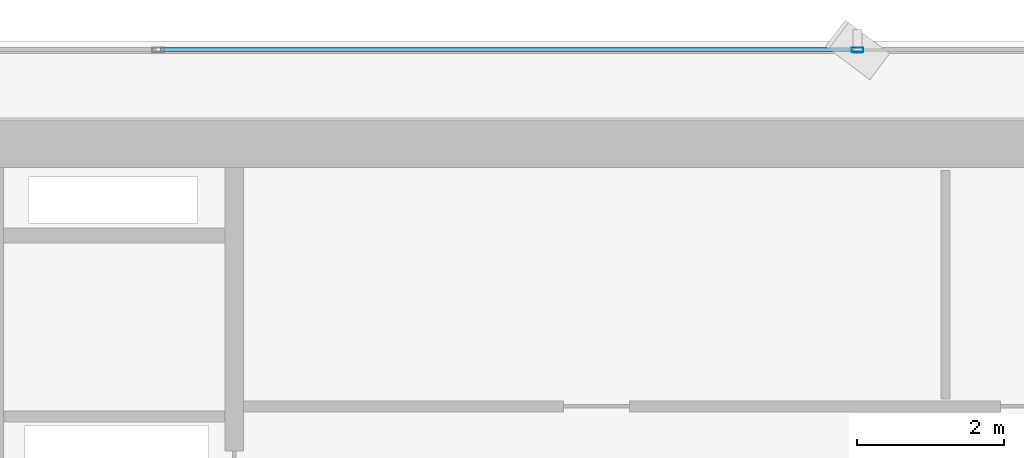
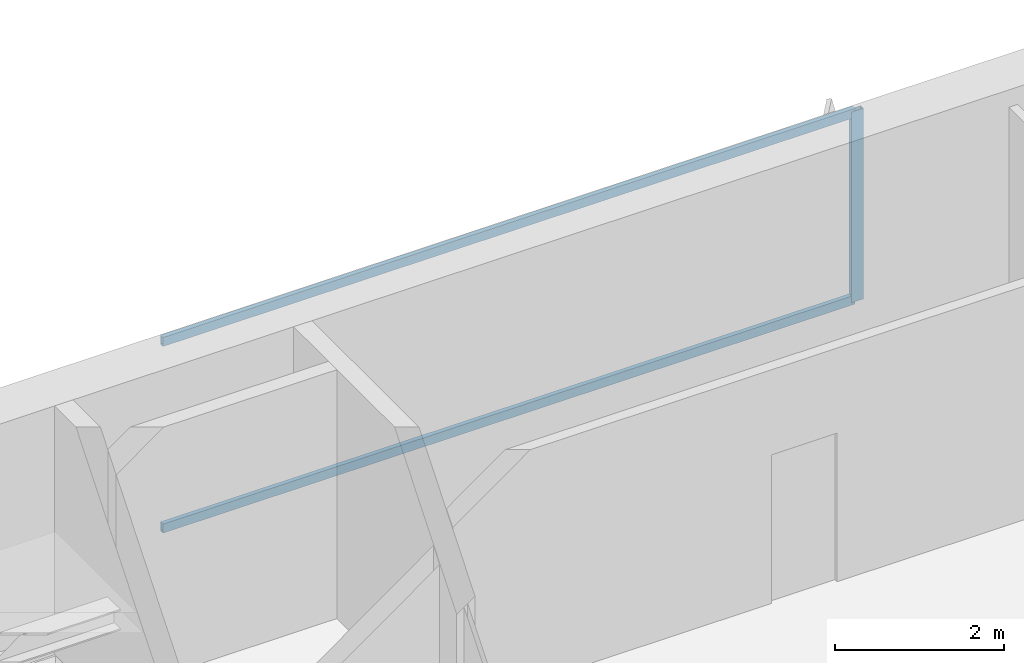
# One storey, part 16 of 28: 3 members, 1 element without a shape of its own.
"""IFC4 building model written with IfcOpenShell, lengths in metres."""

from ifc_helpers import new_model, si_unit, direction, frame, origin, origin_2d, place, context, subcontext, project, spatial, hollow_rectangle, extrude, source, transform, mapped, material, layer, layer_set, material_profile, profile_set, type_object, element, aggregate, save


model = new_model("IFC4")

# Units and contexts
model_context = context("Model", 3, precision=1e-05, world=origin(), true_north=direction((0.0, 1.0)))
body_context = subcontext(model_context, "Body", "Model", "MODEL_VIEW")
ifc_project = project(units=[si_unit("LENGTHUNIT", "METRE"), si_unit("AREAUNIT", "SQUARE_METRE"), si_unit("VOLUMEUNIT", "CUBIC_METRE"), si_unit("PLANEANGLEUNIT", "RADIAN"), si_unit("MASSUNIT", "GRAM", prefix="KILO")], contexts=[model_context])

# Site, building, storey
site_placement = place(None, origin())
site = spatial("IfcSite", under=ifc_project, at=site_placement, CompositionType="ELEMENT")
building_placement = place(site_placement, origin())
building = spatial("IfcBuilding", under=site, at=building_placement, Name="Sumidabori Civic Tower", CompositionType="ELEMENT")
storey_placement = place(building_placement, frame((0.0, 0.0, 171.199951171875)))
storey = spatial("IfcBuildingStorey", under=building, at=storey_placement, Name="L44", CompositionType="ELEMENT", Elevation=171.199951171875)

# Curtain wall, members
ifc_material = material(Name="Anodised Bronze Aluminium AW-6063-T6", Category="aluminium")
ifc_layer = layer(ifc_material, 0.179931640625, Name="Anodised Bronze Aluminium AW-6063-T6")
ifc_layer_set = layer_set([ifc_layer], Name="Anodised Bronze Aluminium AW-6063-T6")
curtain_wall_type = type_object("IfcCurtainWallType", Name="CW-SYS-3", PredefinedType="NOTDEFINED", material=ifc_layer_set)
curtain_wall_placement = place(storey_placement, origin())
curtain_wall = element("IfcCurtainWall", 1, at=curtain_wall_placement, inside=storey, type_object=curtain_wall_type, Name="Curtain Wall CW:L44:R07", PredefinedType="NOTDEFINED")
ifc_material_profile_1 = material_profile(ifc_material, hollow_rectangle(XDim=0.06494140625, YDim=0.159912109375, WallThickness=0.0048828125, at=origin_2d()), Name="ALU MULLION 160x65")
ifc_profile_set_1 = profile_set([ifc_material_profile_1], Name="Anodised Bronze Aluminium AW-6063-T6")
member_type_1 = type_object("IfcMemberType", Name="CW-MUL-160", PredefinedType="MULLION", material=ifc_profile_set_1)
shared_shape_1 = source(origin(), body_context, "Body", "SweptSolid", [
    extrude(hollow_rectangle(XDim=0.06494140625, YDim=0.159912109375, WallThickness=0.0048828125, at=origin_2d()), origin(), (0.0, 0.0, 1.0), 2.760009765625),
])
member_1_placement = place(storey_placement, frame((0.0, 25.080078125, 0.0), z_axis=(0.0, 0.0, 1.0), x_axis=(0.0, -1.0, 0.0)))
member_1 = element("IfcMember", 2, at=member_1_placement, type_object=member_type_1, Name="CW-3 mullion 3", PredefinedType="MULLION", context=body_context, shape_type="MappedRepresentation", body=[
    mapped(shared_shape_1, transform((0.0, 0.0, 0.0), x_axis=(1.0, 0.0, 0.0), y_axis=(0.0, 1.0, 0.0), z_axis=(0.0, 0.0, 1.0), scale=1.0)),
])
ifc_material_profile_2 = material_profile(ifc_material, hollow_rectangle(XDim=0.06005859375, YDim=0.1298828125, WallThickness=0.0048828125, at=origin_2d()), Name="ALU TRANSOM 130x60")
ifc_profile_set_2 = profile_set([ifc_material_profile_2], Name="Anodised Bronze Aluminium AW-6063-T6")
member_type_2 = type_object("IfcMemberType", Name="CW-TRN-130", PredefinedType="USERDEFINED", material=ifc_profile_set_2)
shared_shape_2 = source(origin(), body_context, "Body", "SweptSolid", [
    extrude(hollow_rectangle(XDim=0.06005859375, YDim=0.1298828125, WallThickness=0.0048828125, at=origin_2d()), origin(), (0.0, 0.0, 1.0), 9.469970703125),
])
member_2_placement = place(storey_placement, frame((-0.032470703125, 25.080078125, 0.030029296875), z_axis=(-1.0, 0.0, 0.0), x_axis=(0.0, -1.0, 0.0)))
member_2 = element("IfcMember", 3, at=member_2_placement, type_object=member_type_2, Name="CW-3 transom 3.1", ObjectType="TRANSOM", PredefinedType="USERDEFINED", context=body_context, shape_type="MappedRepresentation", body=[
    mapped(shared_shape_2, transform((0.0, 0.0, 0.0), x_axis=(1.0, 0.0, 0.0), y_axis=(0.0, 1.0, 0.0), z_axis=(0.0, 0.0, 1.0), scale=1.0)),
])
member_3_placement = place(storey_placement, frame((-0.032470703125, 25.080078125, 2.72998046875), z_axis=(-1.0, 0.0, 0.0), x_axis=(0.0, -1.0, 0.0)))
member_3 = element("IfcMember", 4, at=member_3_placement, type_object=member_type_2, Name="CW-3 transom 3.2", ObjectType="TRANSOM", PredefinedType="USERDEFINED", context=body_context, shape_type="MappedRepresentation", body=[
    mapped(shared_shape_2, transform((0.0, 0.0, 0.0), x_axis=(1.0, 0.0, 0.0), y_axis=(0.0, 1.0, 0.0), z_axis=(0.0, 0.0, 1.0), scale=1.0)),
])
aggregate(curtain_wall, [member_1, member_2, member_3])

save(model, "model.ifc")
